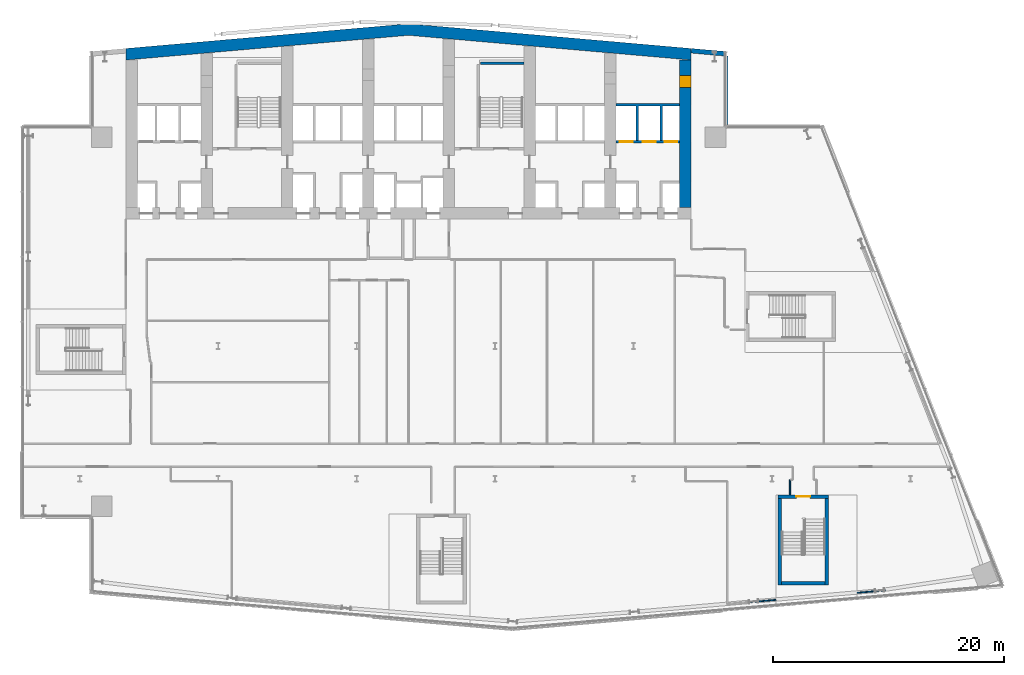
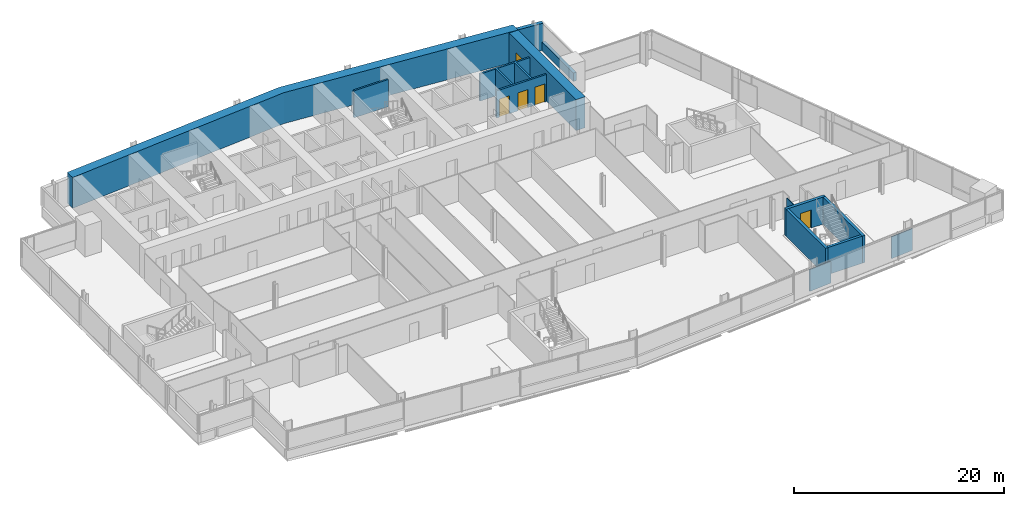
# One storey, part 19 of 25: 14 walls, 5 doors, 5 openings.
"""IFC4 building model written with IfcOpenShell, lengths in metres."""

from ifc_helpers import new_model, si_unit, direction, frame, frame_2d, origin, place, context, subcontext, project, spatial, polyline, rectangle, outline, extrude, material, layer, layer_set, type_object, element, fill, save


model = new_model("IFC4")

# Units and contexts
model_context = context("Model", 3, precision=1e-05, world=origin(), true_north=direction((0.0, 1.0)))
body_context = subcontext(model_context, "Body", "Model", "MODEL_VIEW")
ifc_project = project(units=[si_unit("LENGTHUNIT", "METRE"), si_unit("AREAUNIT", "SQUARE_METRE"), si_unit("VOLUMEUNIT", "CUBIC_METRE"), si_unit("PLANEANGLEUNIT", "RADIAN"), si_unit("MASSUNIT", "GRAM", prefix="KILO")], contexts=[model_context])

# Site, building, storey
site_placement = place(None, origin())
site = spatial("IfcSite", under=ifc_project, at=site_placement, CompositionType="ELEMENT")
building_placement = place(site_placement, origin())
building = spatial("IfcBuilding", under=site, at=building_placement, Name="Wharfspan Tower", CompositionType="ELEMENT")
storey_placement = place(building_placement, frame((0.0, 0.0, 143.5)))
storey = spatial("IfcBuildingStorey", under=building, at=storey_placement, Name="L34", CompositionType="ELEMENT", Elevation=143.5)

# Walls
ifc_material_1 = material(Name="Gypsum board on steel studs", Category="steel")
ifc_layer_1 = layer(ifc_material_1, 0.100098)
ifc_layer_set_1 = layer_set([ifc_layer_1], Name="Gypsum board on steel studs")
wall_type_1 = type_object("IfcWallType", Name="Compartment wall 100 EI 60", PredefinedType="PARTITIONING", material=ifc_layer_set_1)
wall_1_placement = place(storey_placement, frame((73.564941, 10.114746, 0.0), z_axis=(0.0, 0.0, 1.0), x_axis=(0.0, 1.0, 0.0)))
element("IfcWall", 1, at=wall_1_placement, inside=storey, type_object=wall_type_1, Name="Partition L34.w047", PredefinedType="PARTITIONING", context=body_context, shape_type="SweptSolid", body=[
    extrude(rectangle(XDim=1.280273, YDim=0.100098, at=frame_2d((0.640137, 0.0))), origin(), (0.0, 0.0, 1.0), 3.149902),
])
ifc_material_2 = material(Name="Concrete C70/85", Category="concrete")
ifc_layer_2 = layer(ifc_material_2, 1.0)
ifc_layer_set_2 = layer_set([ifc_layer_2], Name="Concrete C70/85")
wall_type_2 = type_object("IfcWallType", Name="Core wall 1000 C70/85", PredefinedType="SHEAR", material=ifc_layer_set_2)
wall_2_placement = place(storey_placement, origin())
element("IfcWall", 2, at=wall_2_placement, inside=storey, type_object=wall_type_2, Name="Core rear wall L34", PredefinedType="SHEAR", context=body_context, shape_type="SweptSolid", body=[
    extrude(outline(polyline([(16.0, 47.783691), (40.5, 49.927002), (65.0, 47.783691), (65.0, 48.787354), (40.5, 50.930908), (16.0, 48.787354), (16.0, 47.783691)])), origin(), (0.0, 0.0, 1.0), 3.600098),
])

# Wall, opening, door
wall_3_placement = place(storey_placement, frame((64.5, 35.0, 0.0), z_axis=(0.0, 0.0, 1.0), x_axis=(0.0, 1.0, 0.0)))
wall_3 = element("IfcWall", 3, at=wall_3_placement, inside=storey, type_object=wall_type_2, Name="Core cross wall EW1 L34", PredefinedType="SHEAR", context=body_context, shape_type="SweptSolid", body=[
    extrude(rectangle(XDim=12.783691, YDim=1.0, at=frame_2d((6.391846, 0.0))), origin(), (0.0, 0.0, 1.0), 3.600098),
])
opening_1_placement = place(wall_3_placement, frame((10.425537, 0.0, 0.0)))
opening_1 = element("IfcOpeningElement", 4, at=opening_1_placement, cuts=wall_3, Name="Opening CD34.7E", PredefinedType="OPENING", context=body_context, shape_type="SweptSolid", body=[
    extrude(rectangle(XDim=1.0, YDim=2.100098, at=frame_2d((0.5, 1.050049))), frame((0.0, 0.51001, 0.0), z_axis=(0.0, -1.0, 0.0), x_axis=(1.0, 0.0, 0.0)), (0.0, 0.0, 1.0), 1.02002),
])
ifc_material_3 = material(Name="Steel door leaf", Category="steel")
door_type_1 = type_object("IfcDoorType", Name="Core room door 1000x2100", OperationType="SINGLE_SWING_LEFT", PredefinedType="DOOR", material=ifc_material_3)
door_1_placement = place(opening_1_placement, origin())
door_1 = element("IfcDoor", 5, at=door_1_placement, inside=storey, type_object=door_type_1, Name="d:L34:7:sxe", OperationType="SINGLE_SWING_RIGHT", OverallHeight=2.100098, OverallWidth=1.0, PredefinedType="DOOR", context=body_context, shape_type="SweptSolid", body=[
    extrude(rectangle(XDim=1.0, YDim=2.100098, at=frame_2d((0.5, 1.050049))), frame((0.0, 0.499756, 0.0), z_axis=(0.0, -1.0, 0.0), x_axis=(1.0, 0.0, 0.0)), (0.0, 0.0, 1.0), 0.999512),
])
fill(opening_1, door_1)

# Wall, openings, doors
ifc_material_4 = material(Name="Concrete C30/37", Category="concrete")
ifc_layer_3 = layer(ifc_material_4, 0.199951)
ifc_layer_set_3 = layer_set([ifc_layer_3], Name="Concrete C30/37")
wall_type_3 = type_object("IfcWallType", Name="Lift shaft wall 200", PredefinedType="PARTITIONING", material=ifc_layer_set_3)
wall_4_placement = place(storey_placement, frame((58.5, 40.699951, 0.0), z_axis=(0.0, 0.0, 1.0), x_axis=(1.0, 0.0, 0.0)))
wall_4 = element("IfcWall", 6, at=wall_4_placement, inside=storey, type_object=wall_type_3, Name="sw:L34:RF7", PredefinedType="PARTITIONING", context=body_context, shape_type="SweptSolid", body=[
    extrude(rectangle(XDim=5.5, YDim=0.199951, at=frame_2d((2.75, 0.0))), origin(), (0.0, 0.0, 1.0), 3.149902),
])
opening_2_placement = place(wall_4_placement, frame((0.31665, 0.0, 0.0)))
opening_2 = element("IfcOpeningElement", 7, at=opening_2_placement, cuts=wall_4, Name="Opening LD.LA8.L34", PredefinedType="OPENING", context=body_context, shape_type="SweptSolid", body=[
    extrude(rectangle(XDim=1.100098, YDim=2.100098, at=frame_2d((0.550049, 1.050049))), frame((0.0, 0.109863, 0.0), z_axis=(0.0, -1.0, 0.0), x_axis=(1.0, 0.0, 0.0)), (0.0, 0.0, 1.0), 0.219971),
])
opening_3_placement = place(wall_4_placement, frame((2.31665, 0.0, 0.0)))
opening_3 = element("IfcOpeningElement", 8, at=opening_3_placement, cuts=wall_4, Name="Opening LD.LA9.L34", PredefinedType="OPENING", context=body_context, shape_type="SweptSolid", body=[
    extrude(rectangle(XDim=1.100098, YDim=2.100098, at=frame_2d((0.550049, 1.050049))), frame((0.0, 0.109863, 0.0), z_axis=(0.0, -1.0, 0.0), x_axis=(1.0, 0.0, 0.0)), (0.0, 0.0, 1.0), 0.219971),
])
opening_4_placement = place(wall_4_placement, frame((4.199951, 0.0, 0.0)))
opening_4 = element("IfcOpeningElement", 9, at=opening_4_placement, cuts=wall_4, Name="Opening LD.LA10.L34", PredefinedType="OPENING", context=body_context, shape_type="SweptSolid", body=[
    extrude(rectangle(XDim=1.100098, YDim=2.100098, at=frame_2d((0.550049, 1.050049))), frame((0.0, 0.109863, 0.0), z_axis=(0.0, -1.0, 0.0), x_axis=(1.0, 0.0, 0.0)), (0.0, 0.0, 1.0), 0.219971),
])
ifc_material_5 = material(Name="Stainless steel", Category="steel")
door_type_2 = type_object("IfcDoorType", Name="Lift landing door 1100x2100", OperationType="DOUBLE_DOOR_SLIDING", PredefinedType="DOOR", material=ifc_material_5)
door_2_placement = place(opening_2_placement, origin())
door_2 = element("IfcDoor", 10, at=door_2_placement, inside=storey, type_object=door_type_2, Name="Landing door LA8 L34", OperationType="DOUBLE_DOOR_SLIDING", OverallHeight=2.100098, OverallWidth=1.100098, PredefinedType="DOOR", context=body_context, shape_type="SweptSolid", body=[
    extrude(rectangle(XDim=1.100098, YDim=2.100098, at=frame_2d((0.550049, 1.050049))), frame((0.0, 0.024902, 0.0), z_axis=(0.0, -1.0, 0.0), x_axis=(1.0, 0.0, 0.0)), (0.0, 0.0, 1.0), 0.050049),
])
fill(opening_2, door_2)
door_3_placement = place(opening_3_placement, origin())
door_3 = element("IfcDoor", 11, at=door_3_placement, inside=storey, type_object=door_type_2, Name="Landing door LA9 L34", OperationType="DOUBLE_DOOR_SLIDING", OverallHeight=2.100098, OverallWidth=1.100098, PredefinedType="DOOR", context=body_context, shape_type="SweptSolid", body=[
    extrude(rectangle(XDim=1.100098, YDim=2.100098, at=frame_2d((0.550049, 1.050049))), frame((0.0, 0.024902, 0.0), z_axis=(0.0, -1.0, 0.0), x_axis=(1.0, 0.0, 0.0)), (0.0, 0.0, 1.0), 0.050049),
])
fill(opening_3, door_3)
door_4_placement = place(opening_4_placement, origin())
door_4 = element("IfcDoor", 12, at=door_4_placement, inside=storey, type_object=door_type_2, Name="Landing door LA10 L34", OperationType="DOUBLE_DOOR_SLIDING", OverallHeight=2.100098, OverallWidth=1.100098, PredefinedType="DOOR", context=body_context, shape_type="SweptSolid", body=[
    extrude(rectangle(XDim=1.100098, YDim=2.100098, at=frame_2d((0.550049, 1.050049))), frame((0.0, 0.024902, 0.0), z_axis=(0.0, -1.0, 0.0), x_axis=(1.0, 0.0, 0.0)), (0.0, 0.0, 1.0), 0.050049),
])
fill(opening_4, door_4)

# Walls
wall_5_placement = place(storey_placement, frame((0.0, 0.0, -0.000244)))
element("IfcWall", 13, at=wall_5_placement, inside=storey, type_object=wall_type_3, Name="sw:L34:RM7.0", PredefinedType="PARTITIONING", context=body_context, shape_type="SweptSolid", body=[
    extrude(outline(polyline([(60.43335, 40.800049), (60.233398, 40.800049), (60.233398, 43.800049), (58.5, 43.800049), (58.5, 44.0), (64.0, 44.0), (64.0, 43.800049), (62.5, 43.800049), (62.5, 40.800049), (62.300049, 40.800049), (62.300049, 43.800049), (60.43335, 43.800049), (60.43335, 40.800049)])), origin(), (0.0, 0.0, 1.0), 3.150146),
])
ifc_layer_4 = layer(ifc_material_1, 0.100098)
ifc_layer_set_4 = layer_set([ifc_layer_4], Name="Gypsum board on steel studs")
wall_type_4 = type_object("IfcWallType", Name="Partition 100", PredefinedType="PARTITIONING", material=ifc_layer_set_4)
wall_6_placement = place(storey_placement, frame((69.909912, 0.780029, 0.0), z_axis=(0.0, 0.0, 1.0), x_axis=(0.99619, 0.087259, 0.0)))
element("IfcWall", 14, at=wall_6_placement, inside=storey, type_object=wall_type_4, Name="Partition L34.w046", PredefinedType="PARTITIONING", context=body_context, shape_type="SweptSolid", body=[
    extrude(rectangle(XDim=2.445312, YDim=0.100098, at=frame_2d((1.222656, 0.0))), origin(), (0.0, 0.0, 1.0), 2.530029),
])
wall_7_placement = place(storey_placement, frame((79.385986, 1.606689, 0.0), z_axis=(0.0, 0.0, 1.0), x_axis=(0.996209, 0.086973, 0.0)))
element("IfcWall", 15, at=wall_7_placement, inside=storey, type_object=wall_type_4, Name="Partition L34.w055", PredefinedType="PARTITIONING", context=body_context, shape_type="SweptSolid", body=[
    extrude(rectangle(XDim=2.453369, YDim=0.100098, at=frame_2d((1.226562, 0.0))), origin(), (0.0, 0.0, 1.0), 2.530029),
])
ifc_material_6 = material(Name="Concrete C40/50", Category="concrete")
ifc_layer_5 = layer(ifc_material_6, 0.350098)
ifc_layer_set_5 = layer_set([ifc_layer_5], Name="Concrete C40/50")
wall_type_5 = type_object("IfcWallType", Name="SPANDREL EXPOSED CONCRETE 350", PredefinedType="SOLIDWALL", material=ifc_layer_set_5)
wall_8_placement = place(storey_placement, frame((68.004883, 42.179932, 0.0), z_axis=(0.0, 0.0, 1.0), x_axis=(0.0, 1.0, 0.0)))
element("IfcWall", 16, at=wall_8_placement, inside=storey, type_object=wall_type_5, Name="Spandrel upstand L34 NRE-V", PredefinedType="SOLIDWALL", context=body_context, shape_type="SweptSolid", body=[
    extrude(rectangle(XDim=5.946533, YDim=0.350098, at=frame_2d((2.973145, 0.0))), origin(), (0.0, 0.0, 1.0), 1.0),
])

# Wall, opening, door
ifc_layer_6 = layer(ifc_material_6, 0.300049)
ifc_layer_set_6 = layer_set([ifc_layer_6], Name="Concrete C40/50")
wall_type_6 = type_object("IfcWallType", Name="Stair core wall 300", PredefinedType="SHEAR", material=ifc_layer_set_6)
wall_9_placement = place(storey_placement, frame((72.541016, 9.94458, 0.0), z_axis=(0.0, 0.0, 1.0), x_axis=(1.0, 0.0, 0.0)))
wall_9 = element("IfcWall", 17, at=wall_9_placement, inside=storey, type_object=wall_type_6, Name="ST5 stair enclosure wall L34", PredefinedType="SHEAR", context=body_context, shape_type="SweptSolid", body=[
    extrude(rectangle(XDim=4.350098, YDim=0.300049, at=frame_2d((2.175049, 0.0))), origin(), (0.0, 0.0, 1.0), 3.149902),
])
opening_5_placement = place(wall_9_placement, frame((1.574951, 0.0, 0.0)))
opening_5 = element("IfcOpeningElement", 18, at=opening_5_placement, cuts=wall_9, Name="Opening SD5.L34", PredefinedType="OPENING", context=body_context, shape_type="SweptSolid", body=[
    extrude(rectangle(XDim=1.199951, YDim=2.100098, at=frame_2d((0.600098, 1.050049))), frame((0.0, 0.159912, 0.0), z_axis=(0.0, -1.0, 0.0), x_axis=(1.0, 0.0, 0.0)), (0.0, 0.0, 1.0), 0.320068),
])
door_type_3 = type_object("IfcDoorType", Name="Stair door 1200x2100", OperationType="SINGLE_SWING_LEFT", PredefinedType="DOOR", material=ifc_material_3)
door_5_placement = place(opening_5_placement, origin())
door_5 = element("IfcDoor", 19, at=door_5_placement, inside=storey, type_object=door_type_3, Name="sd:L34:ST5z2", OperationType="SINGLE_SWING_RIGHT", OverallHeight=2.100098, OverallWidth=1.199951, PredefinedType="DOOR", context=body_context, shape_type="SweptSolid", body=[
    extrude(rectangle(XDim=1.199951, YDim=2.100098, at=frame_2d((0.600098, 1.050049))), frame((0.0, 0.024902, 0.0), z_axis=(0.0, -1.0, 0.0), x_axis=(1.0, 0.0, 0.0)), (0.0, 0.0, 1.0), 0.050049),
])
fill(opening_5, door_5)

# Walls
for number, where, z_axis, x_axis, name in (
    (20, (72.690918, 2.294678, 0.0), (0.0, 0.0, 1.0), (0.0, 1.0, 0.0), "ST5 stair enclosure wall L34"),
    (21, (76.740967, 2.294678, 0.0), (0.0, 0.0, 1.0), (0.0, 1.0, 0.0), "ST5 stair enclosure wall L34"),
):
    element("IfcWall", number, at=place(storey_placement, frame(where, z_axis=z_axis, x_axis=x_axis)), inside=storey, type_object=wall_type_6, Name=name, PredefinedType="SHEAR", context=body_context, shape_type="SweptSolid", body=[
        extrude(rectangle(XDim=7.5, YDim=0.300049, at=frame_2d((3.75, 0.0))), origin(), (0.0, 0.0, 1.0), 3.149902),
    ])
wall_10_placement = place(storey_placement, frame((72.841064, 2.44458, 0.0), z_axis=(0.0, 0.0, 1.0), x_axis=(1.0, 0.0, 0.0)))
element("IfcWall", 22, at=wall_10_placement, inside=storey, type_object=wall_type_6, Name="ST5 stair enclosure wall L34", PredefinedType="SHEAR", context=body_context, shape_type="SweptSolid", body=[
    extrude(rectangle(XDim=3.75, YDim=0.300049, at=frame_2d((1.875, 0.0))), origin(), (0.0, 0.0, 1.0), 3.149902),
])
ifc_layer_7 = layer(ifc_material_6, 0.199951)
ifc_layer_set_7 = layer_set([ifc_layer_7], Name="Concrete C40/50")
wall_type_7 = type_object("IfcWallType", Name="Stair shaft wall 200", PredefinedType="SHEAR", material=ifc_layer_set_7)
wall_11_placement = place(storey_placement, frame((46.75, 47.5, 0.0), z_axis=(0.0, 0.0, 1.0), x_axis=(1.0, 0.0, 0.0)))
element("IfcWall", 23, at=wall_11_placement, inside=storey, type_object=wall_type_7, Name="ST2 stair enclosure wall L34", PredefinedType="SHEAR", context=body_context, shape_type="SweptSolid", body=[
    extrude(rectangle(XDim=3.75, YDim=0.199951, at=frame_2d((1.875, 0.0))), origin(), (0.0, 0.0, 1.0), 3.149902),
])
ifc_layer_8 = layer(ifc_material_6, 0.399902)
ifc_layer_set_8 = layer_set([ifc_layer_8], Name="Concrete C40/50")
wall_type_8 = type_object("IfcWallType", Name="WALL EXPOSED CONCRETE 400", PredefinedType="SOLIDWALL", material=ifc_layer_set_8)
wall_12_placement = place(storey_placement, frame((67.982666, 48.325684, 0.0), z_axis=(0.0, 0.0, 1.0), x_axis=(-0.996194, 0.087168, 0.0)))
element("IfcWall", 24, at=wall_12_placement, inside=storey, type_object=wall_type_8, Name="Rear wall N2", PredefinedType="SOLIDWALL", context=body_context, shape_type="SweptSolid", body=[
    extrude(rectangle(XDim=2.994141, YDim=0.399902, at=frame_2d((1.49707, 0.0))), origin(), (0.0, 0.0, 1.0), 3.149902),
])

save(model, "model.ifc")
